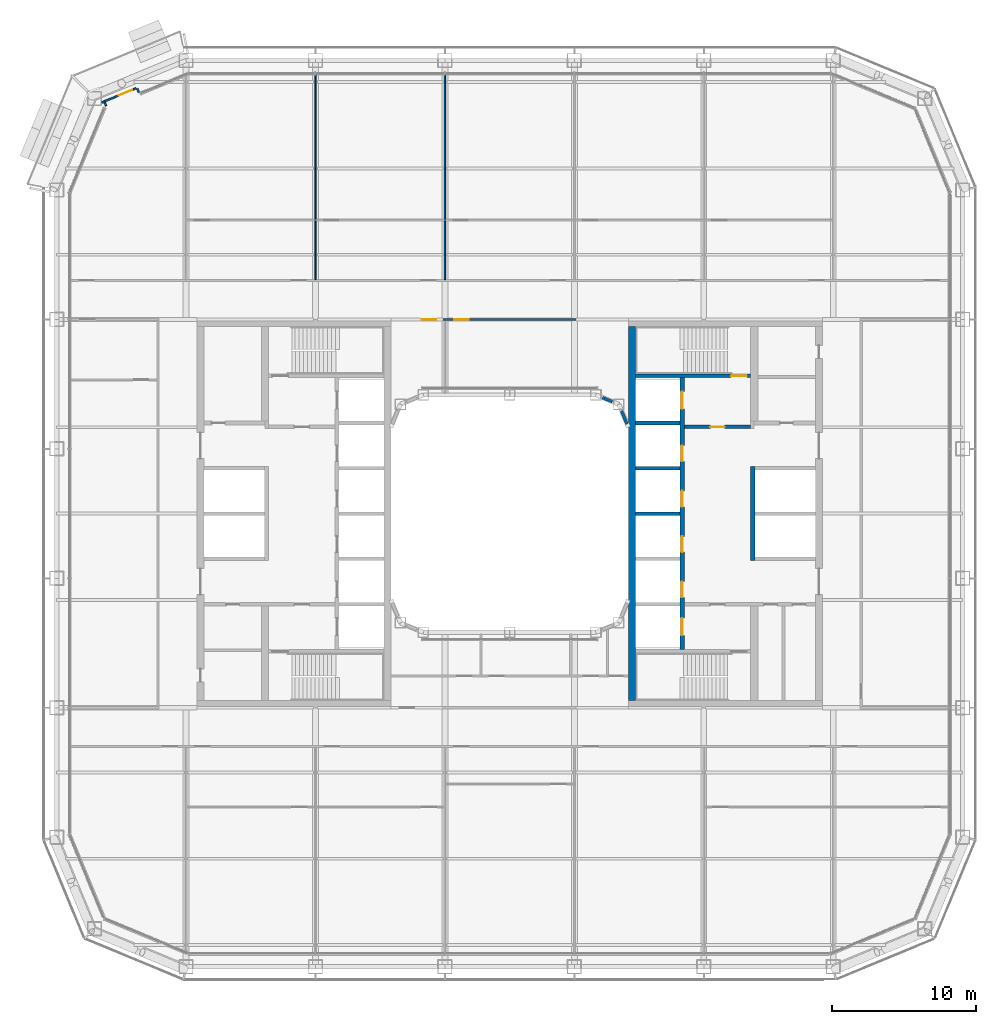
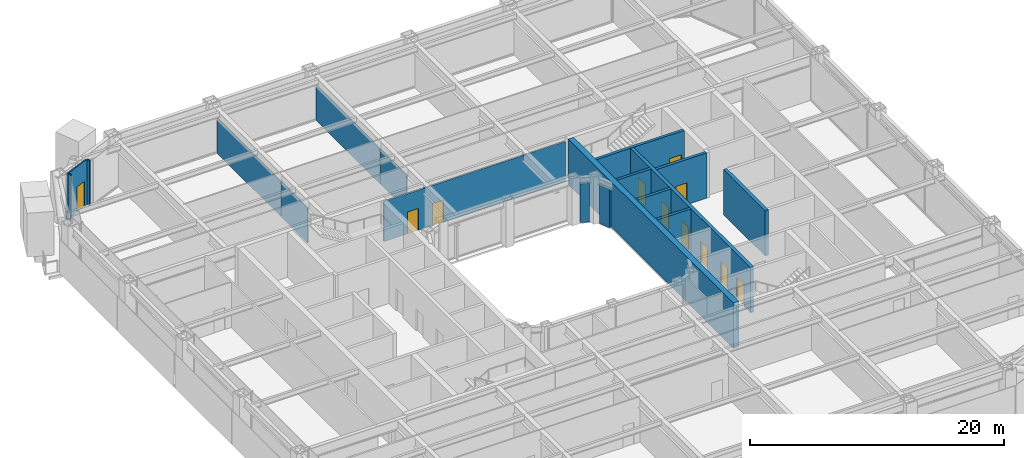
# One storey, part 15 of 29: 18 walls, 11 doors, 11 openings.
"""IFC4 building model written with IfcOpenShell, lengths in metres."""

from ifc_helpers import new_model, si_unit, direction, frame, frame_2d, origin, place, context, subcontext, project, spatial, rectangle, extrude, material, layer, layer_set, type_object, element, fill, save


model = new_model("IFC4")

# Units and contexts
model_context = context("Model", 3, precision=1e-05, world=origin(), true_north=direction((0.0, 1.0)))
body_context = subcontext(model_context, "Body", "Model", "MODEL_VIEW")
ifc_project = project(units=[si_unit("LENGTHUNIT", "METRE"), si_unit("AREAUNIT", "SQUARE_METRE"), si_unit("VOLUMEUNIT", "CUBIC_METRE"), si_unit("PLANEANGLEUNIT", "RADIAN"), si_unit("MASSUNIT", "GRAM", prefix="KILO")], contexts=[model_context])

# Site, building, storey
site_placement = place(None, origin())
site = spatial("IfcSite", under=ifc_project, at=site_placement, CompositionType="ELEMENT")
building_placement = place(site_placement, origin())
building = spatial("IfcBuilding", under=site, at=building_placement, Name="Siwar Civic Tower", CompositionType="ELEMENT")
storey_placement = place(building_placement, frame((0.0, 0.0, 67.199951171875)))
storey = spatial("IfcBuildingStorey", under=building, at=storey_placement, Name="L14", CompositionType="ELEMENT", Elevation=67.199951171875)

# Wall, opening, door
ifc_material_1 = material(Name="Concrete C60/75", Category="concrete")
ifc_layer_1 = layer(ifc_material_1, 0.25)
ifc_layer_set_1 = layer_set([ifc_layer_1], Name="Concrete C60/75")
wall_type_1 = type_object("IfcWallType", Name="CORE-WALL-RC250", PredefinedType="SHEAR", material=ifc_layer_set_1)
wall_1_placement = place(storey_placement, frame((12.14990234375, 6.02490234375, 0.0), z_axis=(0.0, 0.0, 1.0), x_axis=(1.0, 0.0, 0.0)))
wall_1 = element("IfcWall", 1, at=wall_1_placement, inside=storey, type_object=wall_type_1, Name="Core wall E", PredefinedType="SHEAR", context=body_context, shape_type="SweptSolid", body=[
    extrude(rectangle(XDim=4.60009765625, YDim=0.25, at=frame_2d((2.300048828125, 0.0))), origin(), (0.0, 0.0, 1.0), 4.35009765625),
])
opening_1_placement = place(wall_1_placement, frame((1.800048828125, 0.0, 0.0)))
opening_1 = element("IfcOpeningElement", 2, at=opening_1_placement, cuts=wall_1, Name="Opening L14-CE01", PredefinedType="OPENING", context=body_context, shape_type="SweptSolid", body=[
    extrude(rectangle(XDim=1.0, YDim=2.10009765625, at=frame_2d((0.5, 1.050048828125))), frame((0.0, 0.135009765625, 0.0), z_axis=(0.0, -1.0, 0.0), x_axis=(1.0, 0.0, 0.0)), (0.0, 0.0, 1.0), 0.27001953125),
])
ifc_material_2 = material(Name="Steel door leaf", Category="steel")
door_type_1 = type_object("IfcDoorType", Name="CORE-DOOR-FD30S", OperationType="SINGLE_SWING_LEFT", PredefinedType="DOOR", material=ifc_material_2)
door_1_placement = place(opening_1_placement, origin())
door_1 = element("IfcDoor", 3, at=door_1_placement, inside=storey, type_object=door_type_1, Name="Firefighting lobby door L14-CE01", OperationType="SINGLE_SWING_RIGHT", OverallHeight=2.10009765625, OverallWidth=1.0, PredefinedType="DOOR", context=body_context, shape_type="SweptSolid", body=[
    extrude(rectangle(XDim=1.0, YDim=2.10009765625, at=frame_2d((0.5, 1.050048828125))), frame((0.0, 0.02490234375, 0.0), z_axis=(0.0, -1.0, 0.0), x_axis=(1.0, 0.0, 0.0)), (0.0, 0.0, 1.0), 0.050048828125),
])
fill(opening_1, door_1)

# Walls
for number, where, z_axis, x_axis, name in (
    (4, (8.75, 0.0, 0.0), (0.0, 0.0, 1.0), (1.0, 0.0, 0.0), "Core wall E"),
    (5, (8.75, 3.14990234375, 0.0), (0.0, 0.0, 1.0), (1.0, 0.0, 0.0), "Core wall E"),
    (6, (8.75, 6.300048828125, 0.0), (0.0, 0.0, 1.0), (1.0, 0.0, 0.0), "Core wall E"),
):
    element("IfcWall", number, at=place(storey_placement, frame(where, z_axis=z_axis, x_axis=x_axis)), inside=storey, type_object=wall_type_1, Name=name, PredefinedType="SHEAR", context=body_context, shape_type="SweptSolid", body=[
        extrude(rectangle(XDim=3.10009765625, YDim=0.25, at=frame_2d((1.550048828125, 0.0))), origin(), (0.0, 0.0, 1.0), 4.35009765625),
    ])

# Wall, opening, door
wall_2_placement = place(storey_placement, frame((8.75, 9.574951171875, 0.0), z_axis=(0.0, 0.0, 1.0), x_axis=(1.0, 0.0, 0.0)))
wall_2 = element("IfcWall", 7, at=wall_2_placement, inside=storey, type_object=wall_type_1, Name="Core wall E", PredefinedType="SHEAR", context=body_context, shape_type="SweptSolid", body=[
    extrude(rectangle(XDim=8.0, YDim=0.25, at=frame_2d((4.0, 0.0))), origin(), (0.0, 0.0, 1.0), 4.35009765625),
])
opening_2_placement = place(wall_2_placement, frame((6.64990234375, 0.0, 0.0)))
opening_2 = element("IfcOpeningElement", 8, at=opening_2_placement, cuts=wall_2, Name="Opening L14-CE03", PredefinedType="OPENING", context=body_context, shape_type="SweptSolid", body=[
    extrude(rectangle(XDim=1.10009765625, YDim=2.10009765625, at=frame_2d((0.550048828125, 1.050048828125))), frame((0.0, 0.135009765625, 0.0), z_axis=(0.0, -1.0, 0.0), x_axis=(1.0, 0.0, 0.0)), (0.0, 0.0, 1.0), 0.27001953125),
])
ifc_material_3 = material(Name="Steel door leaf", Category="steel")
door_type_2 = type_object("IfcDoorType", Name="CORE-DOOR-FD60S", OperationType="SINGLE_SWING_LEFT", PredefinedType="DOOR", material=ifc_material_3)
door_2_placement = place(opening_2_placement, origin())
door_2 = element("IfcDoor", 9, at=door_2_placement, inside=storey, type_object=door_type_2, Name="Stair door L14-CE03", OperationType="SINGLE_SWING_LEFT", OverallHeight=2.10009765625, OverallWidth=1.10009765625, PredefinedType="DOOR", context=body_context, shape_type="SweptSolid", body=[
    extrude(rectangle(XDim=1.10009765625, YDim=2.10009765625, at=frame_2d((0.550048828125, 1.050048828125))), frame((0.0, 0.02490234375, 0.0), z_axis=(0.0, -1.0, 0.0), x_axis=(1.0, 0.0, 0.0)), (0.0, 0.0, 1.0), 0.050048828125),
])
fill(opening_2, door_2)

# Wall, openings, doors
ifc_material_4 = material(Name="Concrete C60/75", Category="concrete")
ifc_layer_2 = layer(ifc_material_4, 0.300048828125)
ifc_layer_set_2 = layer_set([ifc_layer_2], Name="Concrete C60/75")
wall_type_2 = type_object("IfcWallType", Name="CORE-WALL-RC300", PredefinedType="SHEAR", material=ifc_layer_set_2)
wall_3_placement = place(storey_placement, frame((12.0, -9.449951171875, 0.0), z_axis=(0.0, 0.0, 1.0), x_axis=(0.0, 1.0, 0.0)))
wall_3 = element("IfcWall", 10, at=wall_3_placement, inside=storey, type_object=wall_type_2, Name="Core wall E", PredefinedType="SHEAR", context=body_context, shape_type="SweptSolid", body=[
    extrude(rectangle(XDim=18.89990234375, YDim=0.300048828125, at=frame_2d((9.449951171875, 0.0))), origin(), (0.0, 0.0, 1.0), 4.35009765625),
])
opening_3_placement = place(wall_3_placement, frame((3.625, 0.0, 0.0)))
opening_3 = element("IfcOpeningElement", 11, at=opening_3_placement, cuts=wall_3, Name="Opening L14-CE07", PredefinedType="OPENING", context=body_context, shape_type="SweptSolid", body=[
    extrude(rectangle(XDim=1.10009765625, YDim=2.10009765625, at=frame_2d((0.550048828125, 1.050048828125))), frame((0.0, 0.16015625, 0.0), z_axis=(0.0, -1.0, 0.0), x_axis=(1.0, 0.0, 0.0)), (0.0, 0.0, 1.0), 0.320068359375),
])
opening_4_placement = place(wall_3_placement, frame((6.77490234375, 0.0, 0.0)))
opening_4 = element("IfcOpeningElement", 12, at=opening_4_placement, cuts=wall_3, Name="Opening L14-CE08", PredefinedType="OPENING", context=body_context, shape_type="SweptSolid", body=[
    extrude(rectangle(XDim=1.10009765625, YDim=2.10009765625, at=frame_2d((0.550048828125, 1.050048828125))), frame((0.0, 0.16015625, 0.0), z_axis=(0.0, -1.0, 0.0), x_axis=(1.0, 0.0, 0.0)), (0.0, 0.0, 1.0), 0.320068359375),
])
opening_5_placement = place(wall_3_placement, frame((9.925048828125, 0.0, 0.0)))
opening_5 = element("IfcOpeningElement", 13, at=opening_5_placement, cuts=wall_3, Name="Opening L14-CE09", PredefinedType="OPENING", context=body_context, shape_type="SweptSolid", body=[
    extrude(rectangle(XDim=1.10009765625, YDim=2.10009765625, at=frame_2d((0.550048828125, 1.050048828125))), frame((0.0, 0.16015625, 0.0), z_axis=(0.0, -1.0, 0.0), x_axis=(1.0, 0.0, 0.0)), (0.0, 0.0, 1.0), 0.320068359375),
])
opening_6_placement = place(wall_3_placement, frame((13.074951171875, 0.0, 0.0)))
opening_6 = element("IfcOpeningElement", 14, at=opening_6_placement, cuts=wall_3, Name="Opening L14-CE10", PredefinedType="OPENING", context=body_context, shape_type="SweptSolid", body=[
    extrude(rectangle(XDim=1.10009765625, YDim=2.10009765625, at=frame_2d((0.550048828125, 1.050048828125))), frame((0.0, 0.16015625, 0.0), z_axis=(0.0, -1.0, 0.0), x_axis=(1.0, 0.0, 0.0)), (0.0, 0.0, 1.0), 0.320068359375),
])
opening_7_placement = place(wall_3_placement, frame((16.72509765625, 0.0, 0.0)))
opening_7 = element("IfcOpeningElement", 15, at=opening_7_placement, cuts=wall_3, Name="Opening L14-CE11", PredefinedType="OPENING", context=body_context, shape_type="SweptSolid", body=[
    extrude(rectangle(XDim=1.199951171875, YDim=2.10009765625, at=frame_2d((0.60009765625, 1.050048828125))), frame((0.0, 0.16015625, 0.0), z_axis=(0.0, -1.0, 0.0), x_axis=(1.0, 0.0, 0.0)), (0.0, 0.0, 1.0), 0.320068359375),
])
opening_8_placement = place(wall_3_placement, frame((0.97509765625, 0.0, 0.0)))
opening_8 = element("IfcOpeningElement", 16, at=opening_8_placement, cuts=wall_3, Name="Opening L14-CE12", PredefinedType="OPENING", context=body_context, shape_type="SweptSolid", body=[
    extrude(rectangle(XDim=1.199951171875, YDim=2.10009765625, at=frame_2d((0.60009765625, 1.050048828125))), frame((0.0, 0.16015625, 0.0), z_axis=(0.0, -1.0, 0.0), x_axis=(1.0, 0.0, 0.0)), (0.0, 0.0, 1.0), 0.320068359375),
])
ifc_material_5 = material(Name="Steel door leaf", Category="steel")
door_type_3 = type_object("IfcDoorType", Name="CORE-DOOR-LD", OperationType="DOUBLE_DOOR_SLIDING", PredefinedType="DOOR", material=ifc_material_5)
door_3_placement = place(opening_3_placement, origin())
door_3 = element("IfcDoor", 17, at=door_3_placement, inside=storey, type_object=door_type_3, Name="Landing door LR5 L14-CE07", OperationType="DOUBLE_DOOR_SLIDING", OverallHeight=2.10009765625, OverallWidth=1.10009765625, PredefinedType="DOOR", context=body_context, shape_type="SweptSolid", body=[
    extrude(rectangle(XDim=1.10009765625, YDim=2.10009765625, at=frame_2d((0.550048828125, 1.050048828125))), frame((0.0, 0.02490234375, 0.0), z_axis=(0.0, -1.0, 0.0), x_axis=(1.0, 0.0, 0.0)), (0.0, 0.0, 1.0), 0.050048828125),
])
fill(opening_3, door_3)
door_4_placement = place(opening_4_placement, origin())
door_4 = element("IfcDoor", 18, at=door_4_placement, inside=storey, type_object=door_type_3, Name="Landing door LR6 L14-CE08", OperationType="DOUBLE_DOOR_SLIDING", OverallHeight=2.10009765625, OverallWidth=1.10009765625, PredefinedType="DOOR", context=body_context, shape_type="SweptSolid", body=[
    extrude(rectangle(XDim=1.10009765625, YDim=2.10009765625, at=frame_2d((0.550048828125, 1.050048828125))), frame((0.0, 0.02490234375, 0.0), z_axis=(0.0, -1.0, 0.0), x_axis=(1.0, 0.0, 0.0)), (0.0, 0.0, 1.0), 0.050048828125),
])
fill(opening_4, door_4)
door_5_placement = place(opening_5_placement, origin())
door_5 = element("IfcDoor", 19, at=door_5_placement, inside=storey, type_object=door_type_3, Name="Landing door LR7 L14-CE09", OperationType="DOUBLE_DOOR_SLIDING", OverallHeight=2.10009765625, OverallWidth=1.10009765625, PredefinedType="DOOR", context=body_context, shape_type="SweptSolid", body=[
    extrude(rectangle(XDim=1.10009765625, YDim=2.10009765625, at=frame_2d((0.550048828125, 1.050048828125))), frame((0.0, 0.02490234375, 0.0), z_axis=(0.0, -1.0, 0.0), x_axis=(1.0, 0.0, 0.0)), (0.0, 0.0, 1.0), 0.050048828125),
])
fill(opening_5, door_5)
door_6_placement = place(opening_6_placement, origin())
door_6 = element("IfcDoor", 20, at=door_6_placement, inside=storey, type_object=door_type_3, Name="Landing door LR8 L14-CE10", OperationType="DOUBLE_DOOR_SLIDING", OverallHeight=2.10009765625, OverallWidth=1.10009765625, PredefinedType="DOOR", context=body_context, shape_type="SweptSolid", body=[
    extrude(rectangle(XDim=1.10009765625, YDim=2.10009765625, at=frame_2d((0.550048828125, 1.050048828125))), frame((0.0, 0.02490234375, 0.0), z_axis=(0.0, -1.0, 0.0), x_axis=(1.0, 0.0, 0.0)), (0.0, 0.0, 1.0), 0.050048828125),
])
fill(opening_6, door_6)
ifc_material_6 = material(Name="Steel door leaf", Category="steel")
door_type_4 = type_object("IfcDoorType", Name="CORE-DOOR-LDW", OperationType="DOUBLE_DOOR_SLIDING", PredefinedType="DOOR", material=ifc_material_6)
door_7_placement = place(opening_7_placement, origin())
door_7 = element("IfcDoor", 21, at=door_7_placement, inside=storey, type_object=door_type_4, Name="Landing door FF2 L14-CE11", OperationType="DOUBLE_DOOR_SLIDING", OverallHeight=2.10009765625, OverallWidth=1.199951171875, PredefinedType="DOOR", context=body_context, shape_type="SweptSolid", body=[
    extrude(rectangle(XDim=1.199951171875, YDim=2.10009765625, at=frame_2d((0.60009765625, 1.050048828125))), frame((0.0, 0.02490234375, 0.0), z_axis=(0.0, -1.0, 0.0), x_axis=(1.0, 0.0, 0.0)), (0.0, 0.0, 1.0), 0.050048828125),
])
fill(opening_7, door_7)
door_8_placement = place(opening_8_placement, origin())
door_8 = element("IfcDoor", 22, at=door_8_placement, inside=storey, type_object=door_type_4, Name="Landing door SV2 L14-CE12", OperationType="DOUBLE_DOOR_SLIDING", OverallHeight=2.10009765625, OverallWidth=1.199951171875, PredefinedType="DOOR", context=body_context, shape_type="SweptSolid", body=[
    extrude(rectangle(XDim=1.199951171875, YDim=2.10009765625, at=frame_2d((0.60009765625, 1.050048828125))), frame((0.0, 0.02490234375, 0.0), z_axis=(0.0, -1.0, 0.0), x_axis=(1.0, 0.0, 0.0)), (0.0, 0.0, 1.0), 0.050048828125),
])
fill(opening_8, door_8)

# Walls
wall_4_placement = place(storey_placement, frame((16.89990234375, -3.27490234375, 0.0), z_axis=(0.0, 0.0, 1.0), x_axis=(0.0, 1.0, 0.0)))
element("IfcWall", 23, at=wall_4_placement, inside=storey, type_object=wall_type_2, Name="Core wall E", PredefinedType="SHEAR", context=body_context, shape_type="SweptSolid", body=[
    extrude(rectangle(XDim=6.5498046875, YDim=0.300048828125, at=frame_2d((3.27490234375, 0.0))), origin(), (0.0, 0.0, 1.0), 4.35009765625),
])
ifc_material_7 = material(Name="Concrete C60/75", Category="concrete")
ifc_layer_3 = layer(ifc_material_7, 0.5)
ifc_layer_set_3 = layer_set([ifc_layer_3], Name="Concrete C60/75")
wall_type_3 = type_object("IfcWallType", Name="CORE-WALL-RC500-EXT", PredefinedType="SHEAR", material=ifc_layer_set_3)
wall_5_placement = place(storey_placement, frame((8.5, -13.0, 0.0), z_axis=(0.0, 0.0, 1.0), x_axis=(0.0, 1.0, 0.0)))
element("IfcWall", 24, at=wall_5_placement, inside=storey, type_object=wall_type_3, Name="Core wall E", PredefinedType="SHEAR", context=body_context, shape_type="SweptSolid", body=[
    extrude(rectangle(XDim=26.0, YDim=0.5, at=frame_2d((13.0, 0.0))), origin(), (0.0, 0.0, 1.0), 4.35009765625),
])

# Wall, openings, doors
ifc_material_8 = material(Name="Gypsum board on steel studs", Category="steel")
ifc_layer_4 = layer(ifc_material_8, 0.14990234375)
ifc_layer_set_4 = layer_set([ifc_layer_4], Name="Gypsum board on steel studs")
wall_type_4 = type_object("IfcWallType", Name="CORRIDOR PARTITION 150 EI 30", PredefinedType="PARTITIONING", material=ifc_layer_set_4)
wall_6_placement = place(storey_placement, frame((-8.25, 13.5, 0.0), z_axis=(0.0, 0.0, 1.0), x_axis=(1.0, 0.0, 0.0)))
wall_6 = element("IfcWall", 25, at=wall_6_placement, inside=storey, type_object=wall_type_4, Name="L14/wall/P12", PredefinedType="PARTITIONING", context=body_context, shape_type="SweptSolid", body=[
    extrude(rectangle(XDim=16.5, YDim=0.14990234375, at=frame_2d((8.25, 0.0))), origin(), (0.0, 0.0, 1.0), 3.85009765625),
])
opening_9_placement = place(wall_6_placement, frame((2.14990234375, 0.0, 0.0)))
opening_9 = element("IfcOpeningElement", 26, at=opening_9_placement, cuts=wall_6, Name="Opening D1", PredefinedType="OPENING", context=body_context, shape_type="SweptSolid", body=[
    extrude(rectangle(XDim=1.0, YDim=2.10009765625, at=frame_2d((0.5, 1.050048828125))), frame((0.0, 0.0849609375, 0.0), z_axis=(0.0, -1.0, 0.0), x_axis=(1.0, 0.0, 0.0)), (0.0, 0.0, 1.0), 0.169921875),
])
opening_10_placement = place(wall_6_placement, frame((4.39990234375, 0.0, 0.0)))
opening_10 = element("IfcOpeningElement", 27, at=opening_10_placement, cuts=wall_6, Name="Opening D1", PredefinedType="OPENING", context=body_context, shape_type="SweptSolid", body=[
    extrude(rectangle(XDim=1.0, YDim=2.10009765625, at=frame_2d((0.5, 1.050048828125))), frame((0.0, 0.0849609375, 0.0), z_axis=(0.0, -1.0, 0.0), x_axis=(1.0, 0.0, 0.0)), (0.0, 0.0, 1.0), 0.169921875),
])
ifc_material_9 = material(Name="Timber, painted", Category="wood")
door_type_5 = type_object("IfcDoorType", Name="DOOR 1000 X 2100 FD30", OperationType="SINGLE_SWING_LEFT", PredefinedType="DOOR", material=ifc_material_9)
door_9_placement = place(opening_9_placement, origin())
door_9 = element("IfcDoor", 28, at=door_9_placement, inside=storey, type_object=door_type_5, Name="L14-D28", OperationType="SINGLE_SWING_RIGHT", OverallHeight=2.10009765625, OverallWidth=1.0, PredefinedType="DOOR", context=body_context, shape_type="SweptSolid", body=[
    extrude(rectangle(XDim=1.0, YDim=2.10009765625, at=frame_2d((0.5, 1.050048828125))), frame((0.0, 0.02490234375, 0.0), z_axis=(0.0, -1.0, 0.0), x_axis=(1.0, 0.0, 0.0)), (0.0, 0.0, 1.0), 0.050048828125),
])
fill(opening_9, door_9)
door_10_placement = place(opening_10_placement, origin())
door_10 = element("IfcDoor", 29, at=door_10_placement, inside=storey, type_object=door_type_5, Name="L14-D29", OperationType="SINGLE_SWING_LEFT", OverallHeight=2.10009765625, OverallWidth=1.0, PredefinedType="DOOR", context=body_context, shape_type="SweptSolid", body=[
    extrude(rectangle(XDim=1.0, YDim=2.10009765625, at=frame_2d((0.5, 1.050048828125))), frame((0.0, 0.02490234375, 0.0), z_axis=(0.0, -1.0, 0.0), x_axis=(1.0, 0.0, 0.0)), (0.0, 0.0, 1.0), 0.050048828125),
])
fill(opening_10, door_10)

# Walls
ifc_material_10 = material(Name="Aluminium clad insulated panel", Category="aluminium")
ifc_layer_5 = layer(ifc_material_10, 0.1201171875)
ifc_layer_set_5 = layer_set([ifc_layer_5], Name="Aluminium clad insulated panel")
wall_type_5 = type_object("IfcWallType", Name="ENV-WALL-BAL", PredefinedType="STANDARD", material=ifc_layer_set_5)
wall_7_placement = place(storey_placement, frame((-25.783447265625, 29.284912109375, 0.0), z_axis=(0.0, 0.0, 1.0), x_axis=(-0.382942403136, 0.923772220778, 0.0)))
element("IfcWall", 30, at=wall_7_placement, inside=storey, type_object=wall_type_5, Name="Balcony door wall return NW1", PredefinedType="STANDARD", context=body_context, shape_type="SweptSolid", body=[
    extrude(rectangle(XDim=0.27978515625, YDim=0.1201171875, at=frame_2d((0.139892578125, 0.0))), origin(), (0.0, 0.0, 1.0), 4.35009765625),
])
wall_8_placement = place(storey_placement, frame((-28.057861328125, 28.3427734375, 0.0), z_axis=(0.0, 0.0, 1.0), x_axis=(-0.382634050621, 0.923899985553, 0.0)))
element("IfcWall", 31, at=wall_8_placement, inside=storey, type_object=wall_type_5, Name="Balcony door wall return NW1", PredefinedType="STANDARD", context=body_context, shape_type="SweptSolid", body=[
    extrude(rectangle(XDim=0.280029296875, YDim=0.1201171875, at=frame_2d((0.14013671875, 0.0))), origin(), (0.0, 0.0, 1.0), 4.35009765625),
])

# Wall, opening, door
wall_9_placement = place(storey_placement, frame((-25.968994140625, 29.575927734375, 0.0), z_axis=(0.0, 0.0, 1.0), x_axis=(-0.923894017707, -0.382648460137, 0.0)))
wall_9 = element("IfcWall", 32, at=wall_9_placement, inside=storey, type_object=wall_type_5, Name="Balcony door wall NW1", PredefinedType="STANDARD", context=body_context, shape_type="SweptSolid", body=[
    extrude(rectangle(XDim=2.59228515625, YDim=0.1201171875, at=frame_2d((1.296142578125, 0.0))), origin(), (0.0, 0.0, 1.0), 4.35009765625),
])
opening_11_placement = place(wall_9_placement, frame((0.300048828125, 0.0, 0.0)))
opening_11 = element("IfcOpeningElement", 33, at=opening_11_placement, cuts=wall_9, Name="Opening D-BAL", PredefinedType="OPENING", context=body_context, shape_type="SweptSolid", body=[
    extrude(rectangle(XDim=1.0, YDim=2.39990234375, at=frame_2d((0.5, 1.199951171875))), frame((0.0, 0.070068359375, 0.0), z_axis=(0.0, -1.0, 0.0), x_axis=(1.0, 0.0, 0.0)), (0.0, 0.0, 1.0), 0.14013671875),
])
ifc_material_11 = material(Name="Aluminium and glass", Category="aluminium")
door_type_6 = type_object("IfcDoorType", Name="ENV-DOOR-BAL", OperationType="SINGLE_SWING_LEFT", PredefinedType="DOOR", material=ifc_material_11)
door_11_placement = place(opening_11_placement, origin())
door_11 = element("IfcDoor", 34, at=door_11_placement, inside=storey, type_object=door_type_6, Name="Balcony door NW", OperationType="SINGLE_SWING_LEFT", OverallHeight=2.39990234375, OverallWidth=1.0, PredefinedType="DOOR", context=body_context, shape_type="SweptSolid", body=[
    extrude(rectangle(XDim=1.0, YDim=2.39990234375, at=frame_2d((0.5, 1.199951171875))), frame((0.0, 0.02490234375, 0.0), z_axis=(0.0, -1.0, 0.0), x_axis=(1.0, 0.0, 0.0)), (0.0, 0.0, 1.0), 0.050048828125),
])
fill(opening_11, door_11)

# Walls
ifc_material_12 = material(Name="Aluminium clad insulated panel", Category="aluminium")
ifc_layer_6 = layer(ifc_material_12, 0.199951171875)
ifc_layer_set_6 = layer_set([ifc_layer_6], Name="Aluminium clad insulated panel")
wall_type_6 = type_object("IfcWallType", Name="ENV-WALL-WELL", PredefinedType="STANDARD", material=ifc_layer_set_6)
wall_10_placement = place(storey_placement, frame((8.154296875, 6.23095703125, 0.0), z_axis=(0.0, 0.0, 1.0), x_axis=(-0.382549378284, 0.923935048136, 0.0)))
element("IfcWall", 35, at=wall_10_placement, inside=storey, type_object=wall_type_6, Name="Light well corner wall NE1", PredefinedType="STANDARD", context=body_context, shape_type="SweptSolid", body=[
    extrude(rectangle(XDim=0.982177734375, YDim=0.199951171875, at=frame_2d((0.4912109375, 0.0))), origin(), (0.0, 0.0, 1.0), 3.72998046875),
])
wall_11_placement = place(storey_placement, frame((7.138427734375, 7.778564453125, 0.0), z_axis=(0.0, 0.0, 1.0), x_axis=(-0.923940677943, 0.382535780864, 0.0)))
element("IfcWall", 36, at=wall_11_placement, inside=storey, type_object=wall_type_6, Name="Light well corner wall NE2", PredefinedType="STANDARD", context=body_context, shape_type="SweptSolid", body=[
    extrude(rectangle(XDim=0.7421875, YDim=0.199951171875, at=frame_2d((0.37109375, 0.0))), origin(), (0.0, 0.0, 1.0), 3.72998046875),
])
ifc_material_13 = material(Name="Gypsum board on steel studs", Category="steel")
ifc_layer_7 = layer(ifc_material_13, 0.10009765625)
ifc_layer_set_7 = layer_set([ifc_layer_7], Name="Gypsum board on steel studs")
wall_type_7 = type_object("IfcWallType", Name="PARTITION 100 GYPSUM", PredefinedType="PARTITIONING", material=ifc_layer_set_7)
wall_12_placement = place(storey_placement, frame((-13.5, 16.27490234375, 0.0), z_axis=(0.0, 0.0, 1.0), x_axis=(0.0, 1.0, 0.0)))
element("IfcWall", 37, at=wall_12_placement, inside=storey, type_object=wall_type_7, Name="L14/wall/P21", PredefinedType="PARTITIONING", context=body_context, shape_type="SweptSolid", body=[
    extrude(rectangle(XDim=4.0751953125, YDim=0.10009765625, at=frame_2d((2.03759765625, 0.0))), origin(), (0.0, 0.0, 1.0), 3.35009765625),
])
wall_13_placement = place(storey_placement, frame((-13.5, 20.449951171875, 0.0), z_axis=(0.0, 0.0, 1.0), x_axis=(0.0, 1.0, 0.0)))
element("IfcWall", 38, at=wall_13_placement, inside=storey, type_object=wall_type_7, Name="L14/wall/P22", PredefinedType="PARTITIONING", context=body_context, shape_type="SweptSolid", body=[
    extrude(rectangle(XDim=10.06005859375, YDim=0.10009765625, at=frame_2d((5.030029296875, 0.0))), origin(), (0.0, 0.0, 1.0), 3.35009765625),
])
wall_14_placement = place(storey_placement, frame((-4.5, 16.27490234375, 0.0), z_axis=(0.0, 0.0, 1.0), x_axis=(0.0, 1.0, 0.0)))
element("IfcWall", 39, at=wall_14_placement, inside=storey, type_object=wall_type_7, Name="L14/wall/P25", PredefinedType="PARTITIONING", context=body_context, shape_type="SweptSolid", body=[
    extrude(rectangle(XDim=4.0751953125, YDim=0.10009765625, at=frame_2d((2.03759765625, 0.0))), origin(), (0.0, 0.0, 1.0), 3.35009765625),
])
wall_15_placement = place(storey_placement, frame((-4.5, 20.449951171875, 0.0), z_axis=(0.0, 0.0, 1.0), x_axis=(0.0, 1.0, 0.0)))
element("IfcWall", 40, at=wall_15_placement, inside=storey, type_object=wall_type_7, Name="L14/wall/P26", PredefinedType="PARTITIONING", context=body_context, shape_type="SweptSolid", body=[
    extrude(rectangle(XDim=10.06005859375, YDim=0.10009765625, at=frame_2d((5.030029296875, 0.0))), origin(), (0.0, 0.0, 1.0), 3.35009765625),
])

save(model, "model.ifc")
